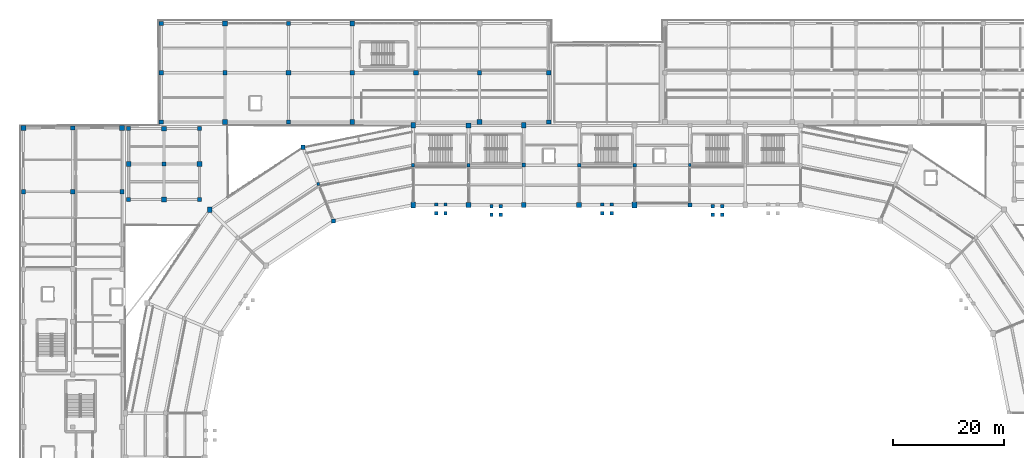
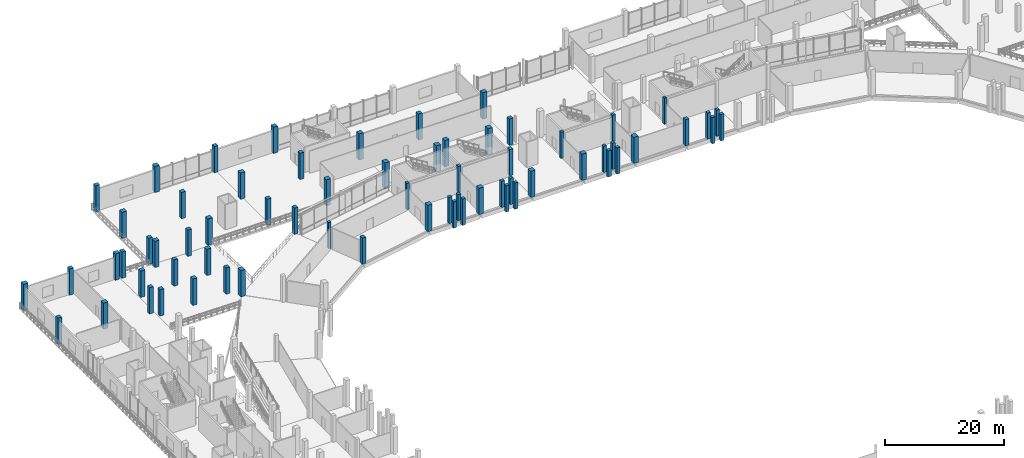
# One storey, part 6 of 114: 67 columns.
"""IFC4 building model written with IfcOpenShell, lengths in metres."""

from ifc_helpers import new_model, si_unit, direction, frame, origin, origin_2d, place, context, subcontext, project, spatial, rectangle, extrude, material, material_profile, profile_set, type_object, element, save


model = new_model("IFC4")

# Units and contexts
model_context = context("Model", 3, precision=1e-05, world=origin(), true_north=direction((0.0, 1.0)))
body_context = subcontext(model_context, "Body", "Model", "MODEL_VIEW")
ifc_project = project(units=[si_unit("LENGTHUNIT", "METRE"), si_unit("AREAUNIT", "SQUARE_METRE"), si_unit("VOLUMEUNIT", "CUBIC_METRE"), si_unit("PLANEANGLEUNIT", "RADIAN"), si_unit("MASSUNIT", "GRAM", prefix="KILO")], contexts=[model_context])

# Site, building, storey
site_placement = place(None, origin())
site = spatial("IfcSite", under=ifc_project, at=site_placement, CompositionType="ELEMENT")
building_placement = place(site_placement, origin())
building = spatial("IfcBuilding", under=site, at=building_placement, Name="Candeia Ridge Stadium", CompositionType="ELEMENT")
storey_placement = place(building_placement, frame((0.0, 0.0, 5.39990234375)))
storey = spatial("IfcBuildingStorey", under=building, at=storey_placement, Name="L01", CompositionType="ELEMENT", Elevation=5.39990234375)

# Columns
ifc_material_1 = material(Name="Concrete C45/55", Category="concrete")
ifc_material_profile_1 = material_profile(ifc_material_1, rectangle(XDim=0.89990234375, YDim=0.89990234375, at=origin_2d()), Name="RC900x900", Category="concrete")
ifc_profile_set_1 = profile_set([ifc_material_profile_1], Name="Concrete C45/55")
column_type_1 = type_object("IfcColumnType", Name="Bowl Spine Column RC900x900", PredefinedType="COLUMN", material=ifc_profile_set_1)
for number, where, z_axis, x_axis, name in (
    (1, (101.0, 132.60009765625, 0.0), (0.0, 0.0, 1.0), (1.0, 0.0, 0.0), "Structural column BC-MD-04 L01"),
    (2, (81.0, 132.60009765625, 0.0), (0.0, 0.0, 1.0), (1.0, 0.0, 0.0), "Structural column BC-MD-06 L01"),
    (3, (81.0, 147.0, 0.0), (0.0, 0.0, 1.0), (1.0, 0.0, 0.0), "Structural column BC-OU-06 L01"),
):
    element("IfcColumn", number, at=place(storey_placement, frame(where, z_axis=z_axis, x_axis=x_axis)), inside=storey, type_object=column_type_1, Name=name, PredefinedType="COLUMN", context=body_context, shape_type="SweptSolid", body=[
        extrude(rectangle(XDim=0.89990234375, YDim=0.89990234375, at=origin_2d()), origin(), (0.0, 0.0, 1.0), 5.400146484375),
    ])
ifc_material_2 = material(Name="Concrete C40/50", Category="concrete")
ifc_material_profile_2 = material_profile(ifc_material_2, rectangle(XDim=0.47998046875, YDim=0.56005859375, at=origin_2d()), Name="RC480x560", Category="concrete")
ifc_profile_set_2 = profile_set([ifc_material_profile_2], Name="Concrete C40/50")
column_type_2 = type_object("IfcColumnType", Name="Graduated Frame Column RC480x560", PredefinedType="COLUMN", material=ifc_profile_set_2)
for number, where, z_axis, x_axis, name in (
    (4, (121.0, 139.800048828125, 0.0), (0.0, 0.0, 1.0), (1.0, 0.0, 0.0), "Structural column BC-M2-02 L01"),
    (5, (53.855712890625, 136.389892578125, 0.0), (0.0, 0.0, 1.0), (1.0, 0.0, 0.0), "Structural column BC-M2-08 L01"),
):
    element("IfcColumn", number, at=place(storey_placement, frame(where, z_axis=z_axis, x_axis=x_axis)), inside=storey, type_object=column_type_2, Name=name, PredefinedType="COLUMN", context=body_context, shape_type="SweptSolid", body=[
        extrude(rectangle(XDim=0.47998046875, YDim=0.56005859375, at=origin_2d()), origin(), (0.0, 0.0, 1.0), 5.400146484375),
    ])
ifc_material_profile_3 = material_profile(ifc_material_2, rectangle(XDim=0.52001953125, YDim=0.6201171875, at=origin_2d()), Name="RC520x620", Category="concrete")
ifc_profile_set_3 = profile_set([ifc_material_profile_3], Name="Concrete C40/50")
column_type_3 = type_object("IfcColumnType", Name="Graduated Frame Column RC520x620", PredefinedType="COLUMN", material=ifc_profile_set_3)
column_1_placement = place(storey_placement, frame((71.0, 139.800048828125, 0.0), z_axis=(0.0, 0.0, 1.0), x_axis=(1.0, 0.0, 0.0)))
element("IfcColumn", 6, at=column_1_placement, inside=storey, type_object=column_type_3, Name="Structural column BC-M2-07 L01", PredefinedType="COLUMN", context=body_context, shape_type="SweptSolid", body=[
    extrude(rectangle(XDim=0.52001953125, YDim=0.6201171875, at=origin_2d()), origin(), (0.0, 0.0, 1.0), 5.400146484375),
])
ifc_material_profile_4 = material_profile(ifc_material_2, rectangle(XDim=0.580078125, YDim=0.580078125, at=origin_2d()), Name="RC580x580", Category="concrete")
ifc_profile_set_4 = profile_set([ifc_material_profile_4], Name="Concrete C40/50")
column_type_4 = type_object("IfcColumnType", Name="Graduated Frame Column RC580x580", PredefinedType="COLUMN", material=ifc_profile_set_4)
column_2_placement = place(storey_placement, frame((101.0, 139.800048828125, 0.0), z_axis=(0.0, 0.0, 1.0), x_axis=(1.0, 0.0, 0.0)))
element("IfcColumn", 7, at=column_2_placement, inside=storey, type_object=column_type_4, Name="Structural column BC-M2-04 L01", PredefinedType="COLUMN", context=body_context, shape_type="SweptSolid", body=[
    extrude(rectangle(XDim=0.580078125, YDim=0.580078125, at=origin_2d()), origin(), (0.0, 0.0, 1.0), 5.400146484375),
])
ifc_material_profile_5 = material_profile(ifc_material_2, rectangle(XDim=0.580078125, YDim=0.679931640625, at=origin_2d()), Name="RC580x680", Category="concrete")
ifc_profile_set_5 = profile_set([ifc_material_profile_5], Name="Concrete C40/50")
column_type_5 = type_object("IfcColumnType", Name="Graduated Frame Column RC580x680", PredefinedType="COLUMN", material=ifc_profile_set_5)
column_3_placement = place(storey_placement, frame((81.0, 139.800048828125, 0.0), z_axis=(0.0, 0.0, 1.0), x_axis=(1.0, 0.0, 0.0)))
element("IfcColumn", 8, at=column_3_placement, inside=storey, type_object=column_type_5, Name="Structural column BC-M2-06 L01", PredefinedType="COLUMN", context=body_context, shape_type="SweptSolid", body=[
    extrude(rectangle(XDim=0.580078125, YDim=0.679931640625, at=origin_2d()), origin(), (0.0, 0.0, 1.0), 5.400146484375),
])
ifc_material_profile_6 = material_profile(ifc_material_2, rectangle(XDim=0.6201171875, YDim=0.6201171875, at=origin_2d()), Name="RC620x620", Category="concrete")
ifc_profile_set_6 = profile_set([ifc_material_profile_6], Name="Concrete C40/50")
column_type_6 = type_object("IfcColumnType", Name="Graduated Frame Column RC620x620", PredefinedType="COLUMN", material=ifc_profile_set_6)
column_4_placement = place(storey_placement, frame((111.0, 139.800048828125, 0.0), z_axis=(0.0, 0.0, 1.0), x_axis=(1.0, 0.0, 0.0)))
element("IfcColumn", 9, at=column_4_placement, inside=storey, type_object=column_type_6, Name="Structural column BC-M2-03 L01", PredefinedType="COLUMN", context=body_context, shape_type="SweptSolid", body=[
    extrude(rectangle(XDim=0.6201171875, YDim=0.6201171875, at=origin_2d()), origin(), (0.0, 0.0, 1.0), 5.400146484375),
])
ifc_material_profile_7 = material_profile(ifc_material_2, rectangle(XDim=0.6201171875, YDim=0.719970703125, at=origin_2d()), Name="RC620x720", Category="concrete")
ifc_profile_set_7 = profile_set([ifc_material_profile_7], Name="Concrete C40/50")
column_type_7 = type_object("IfcColumnType", Name="Graduated Frame Column RC620x720", PredefinedType="COLUMN", material=ifc_profile_set_7)
column_5_placement = place(storey_placement, frame((91.0, 139.800048828125, 0.0), z_axis=(0.0, 0.0, 1.0), x_axis=(1.0, 0.0, 0.0)))
element("IfcColumn", 10, at=column_5_placement, inside=storey, type_object=column_type_7, Name="Structural column BC-M2-05 L01", PredefinedType="COLUMN", context=body_context, shape_type="SweptSolid", body=[
    extrude(rectangle(XDim=0.6201171875, YDim=0.719970703125, at=origin_2d()), origin(), (0.0, 0.0, 1.0), 5.400146484375),
])
ifc_material_profile_8 = material_profile(ifc_material_2, rectangle(XDim=0.679931640625, YDim=0.760009765625, at=origin_2d()), Name="RC680x760", Category="concrete")
ifc_profile_set_8 = profile_set([ifc_material_profile_8], Name="Concrete C40/50")
column_type_8 = type_object("IfcColumnType", Name="Graduated Frame Column RC680x760", PredefinedType="COLUMN", material=ifc_profile_set_8)
for number, where, z_axis, x_axis, name in (
    (11, (121.0, 132.60009765625, 0.0), (0.0, 0.0, 1.0), (1.0, 0.0, 0.0), "Structural column BC-MD-02 L01"),
    (12, (56.611083984375, 129.73779296875, 0.0), (0.0, 0.0, 1.0), (1.0, 0.0, 0.0), "Structural column BC-MD-08 L01"),
    (13, (51.100341796875, 143.041748046875, 0.0), (0.0, 0.0, 1.0), (1.0, 0.0, 0.0), "Structural column BC-OU-08 L01"),
):
    element("IfcColumn", number, at=place(storey_placement, frame(where, z_axis=z_axis, x_axis=x_axis)), inside=storey, type_object=column_type_8, Name=name, PredefinedType="COLUMN", context=body_context, shape_type="SweptSolid", body=[
        extrude(rectangle(XDim=0.679931640625, YDim=0.760009765625, at=origin_2d()), origin(), (0.0, 0.0, 1.0), 5.400146484375),
    ])
ifc_material_profile_9 = material_profile(ifc_material_1, rectangle(XDim=0.820068359375, YDim=0.949951171875, at=origin_2d()), Name="RC820x950", Category="concrete")
ifc_profile_set_9 = profile_set([ifc_material_profile_9], Name="Concrete C45/55")
column_type_9 = type_object("IfcColumnType", Name="Graduated Frame Column RC820x950", PredefinedType="COLUMN", material=ifc_profile_set_9)
for number, where, z_axis, x_axis, name in (
    (14, (91.0, 132.60009765625, 0.0), (0.0, 0.0, 1.0), (1.0, 0.0, 0.0), "Structural column BC-MD-05 L01"),
    (15, (91.0, 147.0, 0.0), (0.0, 0.0, 1.0), (1.0, 0.0, 0.0), "Structural column BC-OU-05 L01"),
):
    element("IfcColumn", number, at=place(storey_placement, frame(where, z_axis=z_axis, x_axis=x_axis)), inside=storey, type_object=column_type_9, Name=name, PredefinedType="COLUMN", context=body_context, shape_type="SweptSolid", body=[
        extrude(rectangle(XDim=0.820068359375, YDim=0.949951171875, at=origin_2d()), origin(), (0.0, 0.0, 1.0), 5.400146484375),
    ])
ifc_material_profile_10 = material_profile(ifc_material_2, rectangle(XDim=0.75, YDim=0.75, at=origin_2d()), Name="RC750x750", Category="concrete")
ifc_profile_set_10 = profile_set([ifc_material_profile_10], Name="Concrete C40/50")
column_type_10 = type_object("IfcColumnType", Name="Reinforced Concrete Column RC750x750", PredefinedType="COLUMN", material=ifc_profile_set_10)
for number, where, z_axis, x_axis, name in (
    (16, (0.60009765625, 135.0, 0.0), (0.0, 0.0, 1.0), (1.0, 0.0, 0.0), "Structural column WP-00-13 L01"),
    (17, (9.5, 146.5, 0.0), (0.0, 0.0, 1.0), (1.0, 0.0, 0.0), "Structural column WP-01-14 L01"),
    (18, (18.39990234375, 135.0, 0.0), (0.0, 0.0, 1.0), (1.0, 0.0, 0.0), "Structural column WP-02-13 L01"),
    (19, (25.5, 147.60009765625, 0.0), (0.0, 0.0, 1.0), (1.0, 0.0, 0.0), "Structural column NWW-00-00 L01"),
    (20, (25.5, 165.39990234375, 0.0), (0.0, 0.0, 1.0), (1.0, 0.0, 0.0), "Structural column NWW-00-02 L01"),
    (21, (37.0, 156.5, 0.0), (0.0, 0.0, 1.0), (1.0, 0.0, 0.0), "Structural column NWW-01-01 L01"),
    (22, (48.5, 147.60009765625, 0.0), (0.0, 0.0, 1.0), (1.0, 0.0, 0.0), "Structural column NWW-02-00 L01"),
    (23, (48.5, 165.39990234375, 0.0), (0.0, 0.0, 1.0), (1.0, 0.0, 0.0), "Structural column NWW-02-02 L01"),
    (24, (60.0, 156.5, 0.0), (0.0, 0.0, 1.0), (1.0, 0.0, 0.0), "Structural column NWW-03-01 L01"),
    (25, (83.0, 156.5, 0.0), (0.0, 0.0, 1.0), (1.0, 0.0, 0.0), "Structural column NWW-05-01 L01"),
    (26, (95.5, 147.60009765625, 0.0), (0.0, 0.0, 1.0), (1.0, 0.0, 0.0), "Structural column NWW-06-00 L01"),
    (27, (19.60009765625, 133.60009765625, 0.0), (0.0, 0.0, 1.0), (1.0, 0.0, 0.0), "Structural column SPNW-00-00 L01"),
    (28, (19.60009765625, 146.39990234375, 0.0), (0.0, 0.0, 1.0), (1.0, 0.0, 0.0), "Structural column SPNW-00-02 L01"),
    (29, (26.0, 140.0, 0.0), (0.0, 0.0, 1.0), (1.0, 0.0, 0.0), "Structural column SPNW-01-01 L01"),
    (30, (32.39990234375, 133.60009765625, 0.0), (0.0, 0.0, 1.0), (1.0, 0.0, 0.0), "Structural column SPNW-02-00 L01"),
    (31, (32.39990234375, 146.39990234375, 0.0), (0.0, 0.0, 1.0), (1.0, 0.0, 0.0), "Structural column SPNW-02-02 L01"),
):
    element("IfcColumn", number, at=place(storey_placement, frame(where, z_axis=z_axis, x_axis=x_axis)), inside=storey, type_object=column_type_10, Name=name, PredefinedType="COLUMN", context=body_context, shape_type="SweptSolid", body=[
        extrude(rectangle(XDim=0.75, YDim=0.75, at=origin_2d()), origin(), (0.0, 0.0, 1.0), 5.400146484375),
    ])
ifc_material_profile_11 = material_profile(ifc_material_1, rectangle(XDim=0.85009765625, YDim=1.0, at=origin_2d()), Name="RC850x1000", Category="concrete")
ifc_profile_set_11 = profile_set([ifc_material_profile_11], Name="Concrete C45/55")
column_type_11 = type_object("IfcColumnType", Name="Reinforced Concrete Column RC850x1000", PredefinedType="COLUMN", material=ifc_profile_set_11)
for number, where, z_axis, x_axis, name in (
    (32, (111.0, 132.60009765625, 0.0), (0.0, 0.0, 1.0), (1.0, 0.0, 0.0), "Structural column BC-MD-03 L01"),
    (33, (71.0, 132.60009765625, 0.0), (0.0, 0.0, 1.0), (1.0, 0.0, 0.0), "Structural column BC-MD-07 L01"),
    (34, (71.0, 147.0, 0.0), (0.0, 0.0, 1.0), (1.0, 0.0, 0.0), "Structural column BC-OU-07 L01"),
    (35, (34.23046875, 131.76953125, 0.0), (0.0, 0.0, 1.0), (1.0, 0.0, 0.0), "Structural column BC-OU-09 L01"),
):
    element("IfcColumn", number, at=place(storey_placement, frame(where, z_axis=z_axis, x_axis=x_axis)), inside=storey, type_object=column_type_11, Name=name, PredefinedType="COLUMN", context=body_context, shape_type="SweptSolid", body=[
        extrude(rectangle(XDim=0.85009765625, YDim=1.0, at=origin_2d()), origin(), (0.0, 0.0, 1.0), 5.400146484375),
    ])
ifc_material_profile_12 = material_profile(ifc_material_1, rectangle(XDim=0.85009765625, YDim=0.85009765625, at=origin_2d()), Name="RC850x850", Category="concrete")
ifc_profile_set_12 = profile_set([ifc_material_profile_12], Name="Concrete C45/55")
column_type_12 = type_object("IfcColumnType", Name="Reinforced Concrete Column RC850x850", PredefinedType="COLUMN", material=ifc_profile_set_12)
for number, where, z_axis, x_axis, name in (
    (36, (0.60009765625, 146.5, 0.0), (0.0, 0.0, 1.0), (1.0, 0.0, 0.0), "Structural column WP-00-14 L01"),
    (37, (9.5, 135.0, 0.0), (0.0, 0.0, 1.0), (1.0, 0.0, 0.0), "Structural column WP-01-13 L01"),
    (38, (18.39990234375, 146.5, 0.0), (0.0, 0.0, 1.0), (1.0, 0.0, 0.0), "Structural column WP-02-14 L01"),
    (39, (25.5, 156.5, 0.0), (0.0, 0.0, 1.0), (1.0, 0.0, 0.0), "Structural column NWW-00-01 L01"),
    (40, (37.0, 147.60009765625, 0.0), (0.0, 0.0, 1.0), (1.0, 0.0, 0.0), "Structural column NWW-01-00 L01"),
    (41, (37.0, 165.39990234375, 0.0), (0.0, 0.0, 1.0), (1.0, 0.0, 0.0), "Structural column NWW-01-02 L01"),
    (42, (48.5, 156.5, 0.0), (0.0, 0.0, 1.0), (1.0, 0.0, 0.0), "Structural column NWW-02-01 L01"),
    (43, (60.0, 147.60009765625, 0.0), (0.0, 0.0, 1.0), (1.0, 0.0, 0.0), "Structural column NWW-03-00 L01"),
    (44, (60.0, 165.39990234375, 0.0), (0.0, 0.0, 1.0), (1.0, 0.0, 0.0), "Structural column NWW-03-02 L01"),
    (45, (71.5, 156.5, 0.0), (0.0, 0.0, 1.0), (1.0, 0.0, 0.0), "Structural column NWW-04-01 L01"),
    (46, (83.0, 147.60009765625, 0.0), (0.0, 0.0, 1.0), (1.0, 0.0, 0.0), "Structural column NWW-05-00 L01"),
    (47, (95.5, 156.5, 0.0), (0.0, 0.0, 1.0), (1.0, 0.0, 0.0), "Structural column NWW-06-01 L01"),
    (48, (19.60009765625, 140.0, 0.0), (0.0, 0.0, 1.0), (1.0, 0.0, 0.0), "Structural column SPNW-00-01 L01"),
    (49, (26.0, 133.60009765625, 0.0), (0.0, 0.0, 1.0), (1.0, 0.0, 0.0), "Structural column SPNW-01-00 L01"),
    (50, (26.0, 146.39990234375, 0.0), (0.0, 0.0, 1.0), (1.0, 0.0, 0.0), "Structural column SPNW-01-02 L01"),
    (51, (32.39990234375, 140.0, 0.0), (0.0, 0.0, 1.0), (1.0, 0.0, 0.0), "Structural column SPNW-02-01 L01"),
):
    element("IfcColumn", number, at=place(storey_placement, frame(where, z_axis=z_axis, x_axis=x_axis)), inside=storey, type_object=column_type_12, Name=name, PredefinedType="COLUMN", context=body_context, shape_type="SweptSolid", body=[
        extrude(rectangle(XDim=0.85009765625, YDim=0.85009765625, at=origin_2d()), origin(), (0.0, 0.0, 1.0), 5.400146484375),
    ])
ifc_material_profile_13 = material_profile(ifc_material_2, rectangle(XDim=0.60009765625, YDim=0.60009765625, at=origin_2d()), Name="RC600x600", Category="concrete")
ifc_profile_set_13 = profile_set([ifc_material_profile_13], Name="Concrete C40/50")
column_type_13 = type_object("IfcColumnType", Name="Wing Column RC600x600", PredefinedType="COLUMN", material=ifc_profile_set_13)
for number, where, z_axis, x_axis, name in (
    (52, (125.14990234375, 132.3701171875, 0.0), (0.0, 0.0, 1.0), (1.0, 0.0, 0.0), "Vomitory VS19 landing support column 1 L01"),
    (53, (125.14990234375, 130.820068359375, 0.0), (0.0, 0.0, 1.0), (1.0, 0.0, 0.0), "Vomitory VS19 landing support column 2 L01"),
    (54, (126.85009765625, 130.820068359375, 0.0), (0.0, 0.0, 1.0), (1.0, 0.0, 0.0), "Vomitory VS19 landing support column 3 L01"),
    (55, (126.85009765625, 132.3701171875, 0.0), (0.0, 0.0, 1.0), (1.0, 0.0, 0.0), "Vomitory VS19 landing support column 4 L01"),
    (56, (85.14990234375, 132.3701171875, 0.0), (0.0, 0.0, 1.0), (1.0, 0.0, 0.0), "Vomitory VS20 landing support column 1 L01"),
    (57, (85.14990234375, 130.820068359375, 0.0), (0.0, 0.0, 1.0), (1.0, 0.0, 0.0), "Vomitory VS20 landing support column 2 L01"),
    (58, (86.85009765625, 130.820068359375, 0.0), (0.0, 0.0, 1.0), (1.0, 0.0, 0.0), "Vomitory VS20 landing support column 3 L01"),
    (59, (86.85009765625, 132.3701171875, 0.0), (0.0, 0.0, 1.0), (1.0, 0.0, 0.0), "Vomitory VS20 landing support column 4 L01"),
    (60, (105.14990234375, 132.681884765625, 0.0), (0.0, 0.0, 1.0), (1.0, 0.0, 0.0), "Vomitory VS26 landing support column 1 L01"),
    (61, (105.14990234375, 131.132080078125, 0.0), (0.0, 0.0, 1.0), (1.0, 0.0, 0.0), "Vomitory VS26 landing support column 2 L01"),
    (62, (106.85009765625, 131.132080078125, 0.0), (0.0, 0.0, 1.0), (1.0, 0.0, 0.0), "Vomitory VS26 landing support column 3 L01"),
    (63, (106.85009765625, 132.681884765625, 0.0), (0.0, 0.0, 1.0), (1.0, 0.0, 0.0), "Vomitory VS26 landing support column 4 L01"),
    (64, (75.14990234375, 132.681884765625, 0.0), (0.0, 0.0, 1.0), (1.0, 0.0, 0.0), "Vomitory VS27 landing support column 1 L01"),
    (65, (75.14990234375, 131.132080078125, 0.0), (0.0, 0.0, 1.0), (1.0, 0.0, 0.0), "Vomitory VS27 landing support column 2 L01"),
    (66, (76.85009765625, 131.132080078125, 0.0), (0.0, 0.0, 1.0), (1.0, 0.0, 0.0), "Vomitory VS27 landing support column 3 L01"),
    (67, (76.85009765625, 132.681884765625, 0.0), (0.0, 0.0, 1.0), (1.0, 0.0, 0.0), "Vomitory VS27 landing support column 4 L01"),
):
    element("IfcColumn", number, at=place(storey_placement, frame(where, z_axis=z_axis, x_axis=x_axis)), inside=storey, type_object=column_type_13, Name=name, PredefinedType="COLUMN", context=body_context, shape_type="SweptSolid", body=[
        extrude(rectangle(XDim=0.60009765625, YDim=0.60009765625, at=origin_2d()), origin(), (0.0, 0.0, 1.0), 5.400146484375),
    ])

save(model, "model.ifc")
